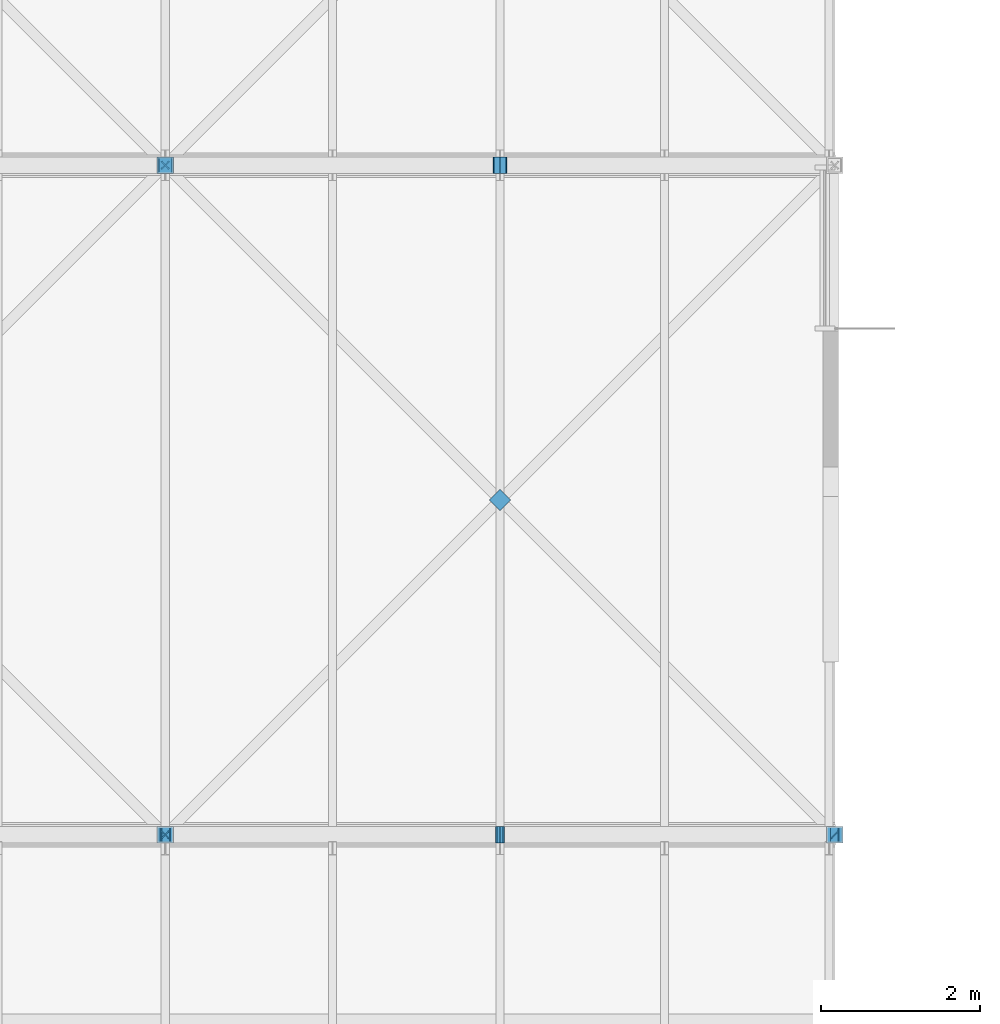
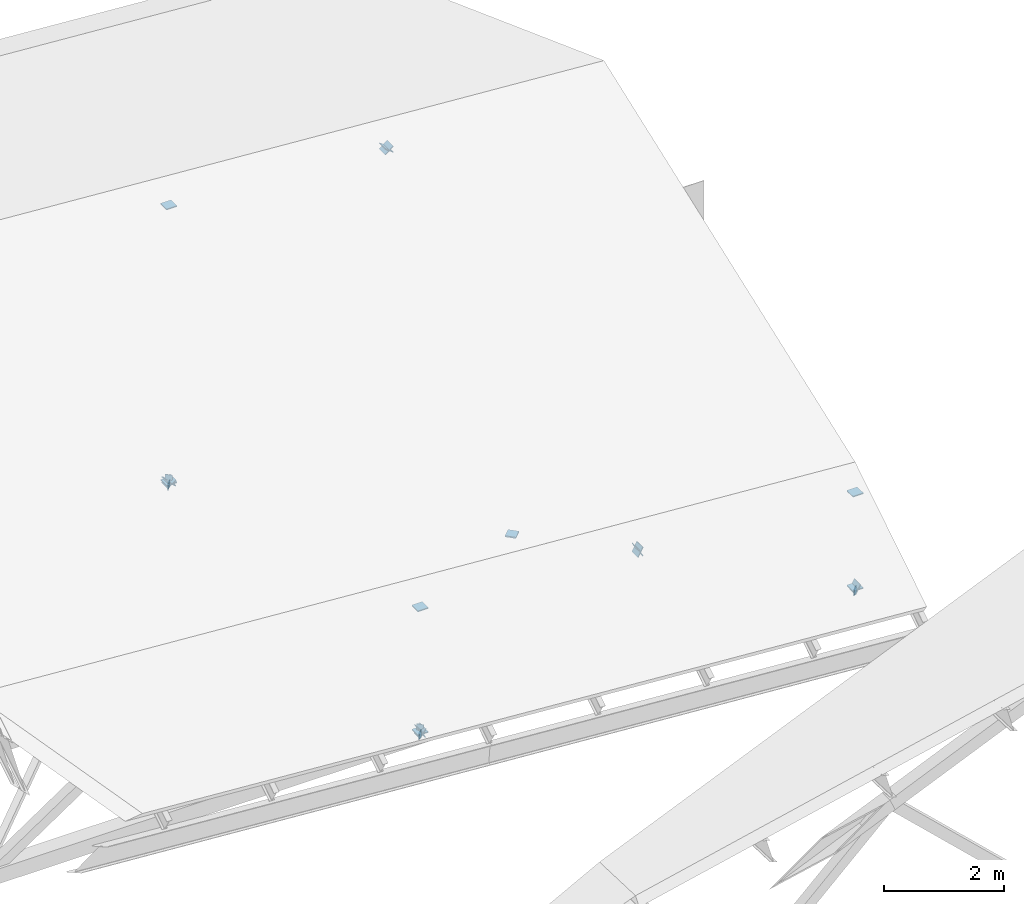
# One storey, part 64 of 76: 21 discrete accessories.
"""IFC4 building model written with IfcOpenShell, lengths in metres."""

from ifc_helpers import new_model, si_unit, direction, frame, origin, origin_2d, place, context, subcontext, project, spatial, rectangle, extrude, material, element, save


model = new_model("IFC4")

# Units and contexts
model_context = context("Model", 3, precision=1e-05, world=origin(), true_north=direction((0.0, 1.0)))
body_context = subcontext(model_context, "Body", "Model", "MODEL_VIEW")
ifc_project = project(units=[si_unit("LENGTHUNIT", "METRE"), si_unit("AREAUNIT", "SQUARE_METRE"), si_unit("VOLUMEUNIT", "CUBIC_METRE"), si_unit("PLANEANGLEUNIT", "RADIAN"), si_unit("MASSUNIT", "GRAM", prefix="KILO")], contexts=[model_context])

# Site, building, storey
site_placement = place(None, origin())
site = spatial("IfcSite", under=ifc_project, at=site_placement, CompositionType="ELEMENT")
building_placement = place(site_placement, origin())
building = spatial("IfcBuilding", under=site, at=building_placement, Name="Hlaing Beacon Police Headquarters", CompositionType="ELEMENT")
storey_placement = place(building_placement, frame((0.0, 0.0, 18.89990234375)))
storey = spatial("IfcBuildingStorey", under=building, at=storey_placement, Name="L04", CompositionType="ELEMENT", Elevation=18.89990234375)

# Discrete accessories
ifc_material = material(Name="Steel ASTM A572 Grade 50", Category="steel")
for number, where, z_axis, x_axis, name in (
    (1, (58.800048828125, 75.60009765625, -2.53759765625), (0.0, 0.0, -1.0), (1.0, 0.0, 0.0), "Gusset plate GP-421"),
    (2, (58.800048828125, 75.60009765625, -0.025634765625), (0.0, 0.0, 1.0), (1.0, 0.0, 0.0), "Gusset plate GP-422"),
    (3, (67.199951171875, 75.60009765625, -2.53759765625), (0.0, 0.0, -1.0), (1.0, 0.0, 0.0), "Gusset plate GP-423"),
    (4, (67.199951171875, 75.60009765625, -0.625732421875), (0.0, 0.0, 1.0), (1.0, 0.0, 0.0), "Gusset plate GP-424"),
):
    element("IfcDiscreteAccessory", number, at=place(storey_placement, frame(where, z_axis=z_axis, x_axis=x_axis)), inside=storey, material=ifc_material, Name=name, PredefinedType="BRACKET", context=body_context, shape_type="SweptSolid", body=[
        extrude(rectangle(XDim=0.203125, YDim=0.203125, at=origin_2d()), origin(), (0.0, 0.0, 1.0), 0.02001953125),
    ])
for number, where, z_axis, x_axis, name in (
    (5, (58.79345703125, 75.60009765625, -2.543212890625), (0.829139670788, 0.0, -0.5590415068), (0.0, 1.0, 0.0), "Gusset plate GP-436"),
    (6, (58.80712890625, 75.60009765625, -2.5439453125), (-0.883053903014, 0.0, -0.469271567828), (0.0, -1.0, 0.0), "Gusset plate GP-437"),
    (7, (62.992919921875, 75.60009765625, -0.3193359375), (0.883053903014, 0.0, 0.469271567828), (0.0, 1.0, 0.0), "Gusset plate GP-438"),
    (8, (63.007080078125, 75.60009765625, -0.3193359375), (-0.883053903014, 0.0, 0.469271567828), (0.0, -1.0, 0.0), "Gusset plate GP-439"),
    (9, (67.19287109375, 75.60009765625, -2.5439453125), (0.883053903014, 0.0, -0.469271567828), (0.0, 1.0, 0.0), "Gusset plate GP-440"),
):
    element("IfcDiscreteAccessory", number, at=place(storey_placement, frame(where, z_axis=z_axis, x_axis=x_axis)), inside=storey, material=ifc_material, Name=name, PredefinedType="BRACKET", context=body_context, shape_type="SweptSolid", body=[
        extrude(rectangle(XDim=0.203125, YDim=0.203125, at=origin_2d()), origin(), (0.0, 0.0, 1.0), 0.01611328125),
    ])
for number, where, z_axis, x_axis, name in (
    (10, (58.800048828125, 84.0, -2.53759765625), (0.0, 0.0, -1.0), (1.0, 0.0, 0.0), "Gusset plate GP-447"),
    (11, (58.800048828125, 84.0, 3.082763671875), (0.0, 0.0, 1.0), (1.0, 0.0, 0.0), "Gusset plate GP-448"),
):
    element("IfcDiscreteAccessory", number, at=place(storey_placement, frame(where, z_axis=z_axis, x_axis=x_axis)), inside=storey, material=ifc_material, Name=name, PredefinedType="BRACKET", context=body_context, shape_type="SweptSolid", body=[
        extrude(rectangle(XDim=0.203125, YDim=0.203125, at=origin_2d()), origin(), (0.0, 0.0, 1.0), 0.02001953125),
    ])
for number, where, z_axis, x_axis, name in (
    (12, (58.79541015625, 84.0, -2.541015625), (0.577298315763, 0.0, -0.816533315069), (0.0, 1.0, 0.0), "Gusset plate GP-462"),
    (13, (58.804931640625, 84.0, -2.541259765625), (-0.618183326638, 0.0, -0.786033952617), (0.0, -1.0, 0.0), "Gusset plate GP-463"),
    (14, (62.9951171875, 84.0, 2.786376953125), (0.618183326638, 0.0, 0.786033952617), (0.0, 1.0, 0.0), "Gusset plate GP-464"),
    (15, (63.0048828125, 84.0, 2.786376953125), (-0.618183326638, 0.0, 0.786033952617), (0.0, -1.0, 0.0), "Gusset plate GP-465"),
):
    element("IfcDiscreteAccessory", number, at=place(storey_placement, frame(where, z_axis=z_axis, x_axis=x_axis)), inside=storey, material=ifc_material, Name=name, PredefinedType="BRACKET", context=body_context, shape_type="SweptSolid", body=[
        extrude(rectangle(XDim=0.203125, YDim=0.203125, at=origin_2d()), origin(), (0.0, 0.0, 1.0), 0.01611328125),
    ])
for number, where, z_axis, x_axis, name in (
    (16, (58.7958984375, 83.995849609375, -2.47412109375), (0.707117056885, 0.707096505339, 0.0), (-0.707096505339, 0.707117056885, 0.0), "Gusset plate GP-502"),
    (17, (58.7958984375, 75.604248046875, -2.62109375), (0.707117056885, -0.707096505339, 0.0), (0.707096505339, 0.707117056885, 0.0), "Gusset plate GP-504"),
    (18, (58.80419921875, 75.604248046875, -2.47412109375), (-0.707106781187, -0.707106781187, 0.0), (0.707106781187, -0.707106781187, 0.0), "Gusset plate GP-505"),
    (19, (58.80419921875, 83.995849609375, -2.62109375), (-0.707106781187, 0.707106781187, 0.0), (-0.707106781187, -0.707106781187, 0.0), "Gusset plate GP-507"),
    (20, (67.195556640625, 75.6044921875, -2.62109375), (0.707106781187, -0.707106781187, 0.0), (0.707106781187, 0.707106781187, 0.0), "Gusset plate GP-508"),
):
    element("IfcDiscreteAccessory", number, at=place(storey_placement, frame(where, z_axis=z_axis, x_axis=x_axis)), inside=storey, material=ifc_material, Name=name, PredefinedType="BRACKET", context=body_context, shape_type="SweptSolid", body=[
        extrude(rectangle(XDim=0.126953125, YDim=0.126953125, at=origin_2d()), origin(), (0.0, 0.0, 1.0), 0.011962890625),
    ])
discrete_accessory_placement = place(storey_placement, frame((63.0, 79.800048828125, -2.560546875), z_axis=(0.0, 0.0, 1.0), x_axis=(0.707106781187, 0.707106781187, 0.0)))
element("IfcDiscreteAccessory", 21, at=discrete_accessory_placement, inside=storey, material=ifc_material, Name="Node plate NP-012", PredefinedType="BRACKET", context=body_context, shape_type="SweptSolid", body=[
    extrude(rectangle(XDim=0.1904296875, YDim=0.1904296875, at=origin_2d()), origin(), (0.0, 0.0, 1.0), 0.02587890625),
])

save(model, "model.ifc")
